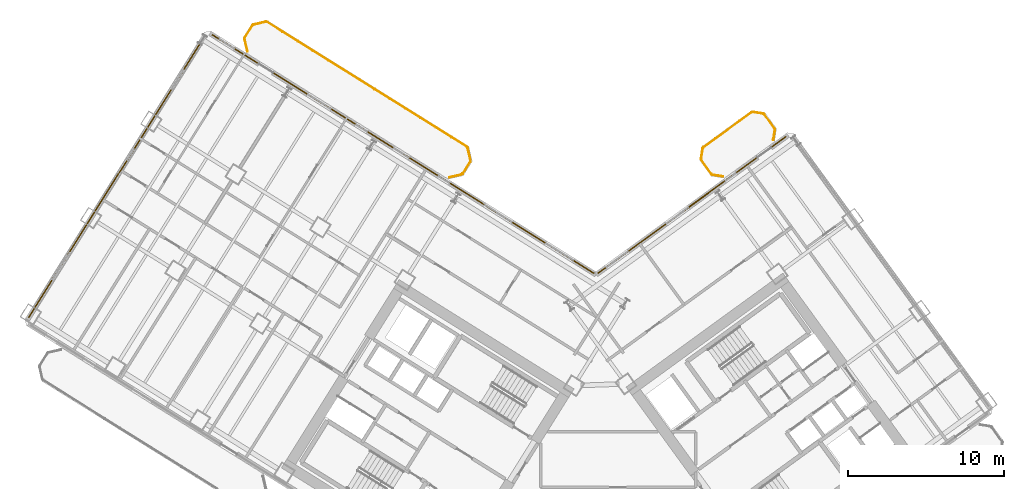
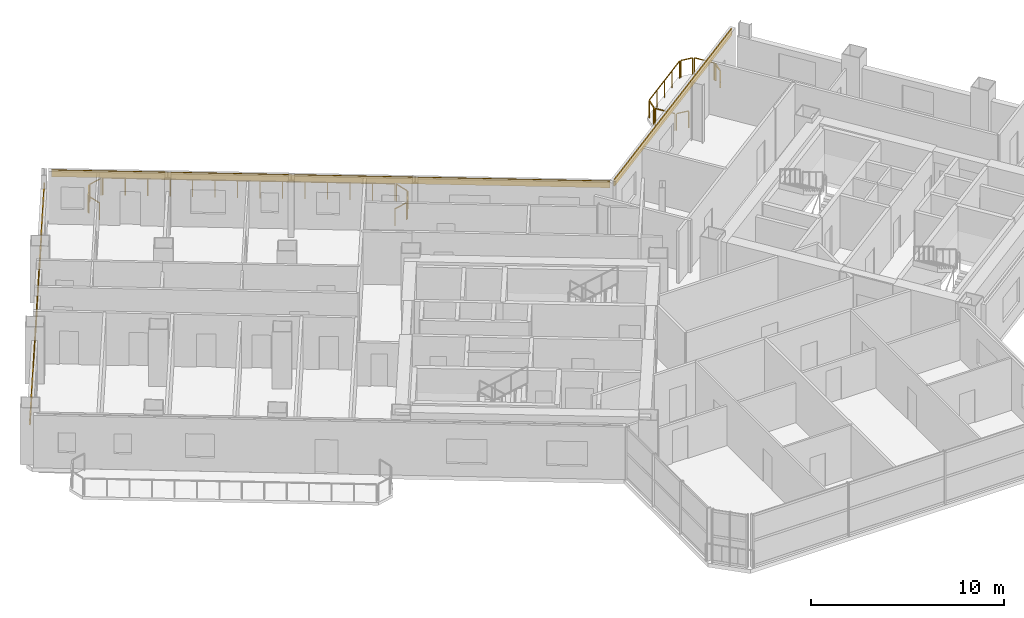
# One storey, part 21 of 21: 14 railings, 3 coverings.
"""IFC4 building model written with IfcOpenShell, lengths in metres."""

import ifcopenshell
import ifcopenshell.guid

model = None  # the IFC model being written
_history = None  # IfcOwnerHistory: only IFC2X3 demands one
_inside = {}  # id of a spatial element -> (the spatial element, [elements in it])
_under = {}  # id of a project, library or spatial element -> (it, [spatial elements below it])
_declared = {}  # id of a project -> (the project, [libraries it declares])
_typed = {}  # id of a type object -> (the type object, [elements of that type])
_made_of = {}  # id of a material, layer set ... -> (it, [elements and type objects made of it])


def new_model(schema):
    """Start an empty IFC model of exactly this schema.

    Asked for "IFC4X3", IfcOpenShell would pick the latest addendum, in which some entities
    have other attributes; the version numbers below select the first issue.
    IFC2X3 requires an IfcOwnerHistory on every rooted entity: one is made here for all.
    """
    global model, _history
    if schema == "IFC4X3":
        model = ifcopenshell.file(schema_version=(4, 3, 0, 0))
    else:
        model = ifcopenshell.file(schema=schema)
    _inside.clear()
    _under.clear()
    _declared.clear()
    _typed.clear()
    _made_of.clear()
    _history = None
    if model.schema == "IFC2X3":
        org = make("IfcOrganization", Name="unknown")
        user = make(
            "IfcPersonAndOrganization",
            ThePerson=make("IfcPerson", FamilyName="unknown"),
            TheOrganization=org,
        )
        app = make(
            "IfcApplication",
            ApplicationDeveloper=org,
            Version="unknown",
            ApplicationFullName="unknown",
            ApplicationIdentifier="unknown",
        )
        _history = make(
            "IfcOwnerHistory",
            OwningUser=user,
            OwningApplication=app,
            ChangeAction="ADDED",
            CreationDate=0,
        )
    return model


def make(cls, **values):
    """One entity of the class cls with the attributes given. An attribute that is None is left unset."""
    return model.create_entity(
        cls, **{name: value for name, value in values.items() if value is not None}
    )


def rooted(cls, **values):
    """An entity with a GlobalId (a new one), such as an element, a storey or a relation."""
    return make(cls, GlobalId=ifcopenshell.guid.new(), OwnerHistory=_history, **values)


def si_unit(unit_type, name, prefix=None):
    """IfcSIUnit, for example si_unit("LENGTHUNIT", "METRE", prefix="MILLI")."""
    return make("IfcSIUnit", UnitType=unit_type, Prefix=prefix, Name=name)


def assignment(units):
    """IfcUnitAssignment: the units of a project."""
    return None if units is None else make("IfcUnitAssignment", Units=units)


def point(xyz):
    """IfcCartesianPoint."""
    return None if xyz is None else make("IfcCartesianPoint", Coordinates=xyz)


def direction(xyz):
    """IfcDirection."""
    return None if xyz is None else make("IfcDirection", DirectionRatios=xyz)


def frame(location, z_axis=None, x_axis=None):
    """IfcAxis2Placement3D, a coordinate frame: its origin and axes. An axis left out is left unset."""
    return make(
        "IfcAxis2Placement3D",
        Location=point(location),
        Axis=direction(z_axis),
        RefDirection=direction(x_axis),
    )


def frame_2d(location, x_axis=None):
    """IfcAxis2Placement2D, a coordinate frame in the plane: its origin and x axis."""
    return make(
        "IfcAxis2Placement2D", Location=point(location), RefDirection=direction(x_axis)
    )


def origin():
    """The frame at (0, 0, 0) with its axes left unset."""
    return frame((0.0, 0.0, 0.0))


def origin_2d():
    """The frame at (0, 0) in the plane with its x axis left unset."""
    return frame_2d((0.0, 0.0))


def place(relative_to, where):
    """IfcLocalPlacement: puts the frame where relative to a parent placement (None: the world)."""
    return make(
        "IfcLocalPlacement", PlacementRelTo=relative_to, RelativePlacement=where
    )


def context(
    kind, dimensions, precision=None, world=None, true_north=None, identifier=None
):
    """IfcGeometricRepresentationContext, for example the 3D "Model" context."""
    return make(
        "IfcGeometricRepresentationContext",
        ContextIdentifier=identifier,
        ContextType=kind,
        CoordinateSpaceDimension=dimensions,
        Precision=precision,
        WorldCoordinateSystem=world,
        TrueNorth=true_north,
    )


def subcontext(parent, identifier, kind, view, scale=None):
    """IfcGeometricRepresentationSubContext, for example "Body" below "Model"."""
    return make(
        "IfcGeometricRepresentationSubContext",
        ContextIdentifier=identifier,
        ContextType=kind,
        ParentContext=parent,
        TargetScale=scale,
        TargetView=view,
    )


def project(units=None, contexts=None):
    """IfcProject with its units and contexts."""
    return rooted(
        "IfcProject",
        Name="project",
        RepresentationContexts=contexts,
        UnitsInContext=assignment(units),
    )


def spatial(cls, under=None, at=None, **own):
    """A site, building, storey or space (cls), placed at a placement, below another one or the project."""
    s = rooted(cls, ObjectPlacement=at, **own)
    if under is not None:
        _under.setdefault(under.id(), (under, []))[1].append(s)
    return s


def profile(cls, at=None, kind="AREA", **sizes):
    """A parametric profile (cls). Its sizes go by their IFC names, for example OverallWidth=200.0."""
    return make(cls, ProfileType=kind, Position=at, **sizes)


def rectangle(**sizes):
    """IfcRectangleProfileDef."""
    return profile("IfcRectangleProfileDef", **sizes)


def extrude(swept, where, along, depth):
    """IfcExtrudedAreaSolid: the profile swept, set in the frame where, extruded along a direction by depth."""
    return make(
        "IfcExtrudedAreaSolid",
        SweptArea=swept,
        Position=where,
        ExtrudedDirection=direction(along),
        Depth=depth,
    )


def shape(context_of_items, identifier, shape_type, items):
    """IfcShapeRepresentation: the items that make up one representation, for example the "Body"."""
    return make(
        "IfcShapeRepresentation",
        ContextOfItems=context_of_items,
        RepresentationIdentifier=identifier,
        RepresentationType=shape_type,
        Items=items,
    )


def source(mapping_origin, context_of_items, identifier, shape_type, items):
    """IfcRepresentationMap: a shape defined once, which mapped items show again and again."""
    return make(
        "IfcRepresentationMap",
        MappingOrigin=mapping_origin,
        MappedRepresentation=shape(context_of_items, identifier, shape_type, items),
    )


def transform(
    local_origin,
    x_axis=None,
    y_axis=None,
    z_axis=None,
    scale=None,
    scale2=None,
    scale3=None,
    uniform=True,
):
    """IfcCartesianTransformationOperator3D, or its non-uniform kind. x_axis, y_axis, z_axis: its Axis1, 2, 3."""
    if uniform:
        return make(
            "IfcCartesianTransformationOperator3D",
            Axis1=direction(x_axis),
            Axis2=direction(y_axis),
            LocalOrigin=point(local_origin),
            Scale=scale,
            Axis3=direction(z_axis),
        )
    return make(
        "IfcCartesianTransformationOperator3DnonUniform",
        Axis1=direction(x_axis),
        Axis2=direction(y_axis),
        LocalOrigin=point(local_origin),
        Scale=scale,
        Axis3=direction(z_axis),
        Scale2=scale2,
        Scale3=scale3,
    )


def mapped(mapping_source, mapping_target):
    """IfcMappedItem: shows the shape of a source again, moved by a transform."""
    return make(
        "IfcMappedItem", MappingSource=mapping_source, MappingTarget=mapping_target
    )


def material(Name=None, Category=None):
    """IfcMaterial."""
    return make("IfcMaterial", Name=Name, Category=Category)


def layer(
    of_material, thickness, ventilated=None, Name=None, Category=None, Priority=None
):
    """IfcMaterialLayer: one layer of a wall or slab, of a material (None: an air gap)."""
    return make(
        "IfcMaterialLayer",
        Material=of_material,
        LayerThickness=thickness,
        IsVentilated=ventilated,
        Name=Name,
        Category=Category,
        Priority=Priority,
    )


def layer_set(layers, Name=None):
    """IfcMaterialLayerSet."""
    return make("IfcMaterialLayerSet", MaterialLayers=layers, LayerSetName=Name)


def made_of(thing, what):
    """Note that an element or type object is made of a material, layer set ...; save() writes the relation."""
    if what is not None:
        _made_of.setdefault(what.id(), (what, []))[1].append(thing)
    return thing


def type_object(cls, material=None, **own):
    """A type object (cls), such as IfcWallType, which elements share."""
    return made_of(rooted(cls, **own), material)


def element(
    cls,
    number,
    at=None,
    inside=None,
    cuts=None,
    type_object=None,
    material=None,
    context=None,
    identifier="Body",
    shape_type=None,
    held_by="IfcProductDefinitionShape",
    body=None,
    shapes=None,
    **own,
):
    """One element of the class cls, such as IfcWall. Its Tag is "e" and its number.

    at: its placement. inside: the storey or other place that contains it. cuts: it is an
    opening in that element (IfcRelVoidsElement). A single representation is given by context,
    identifier, shape_type and body (its items); several are given by shapes. held_by: the class
    of the entity that holds the representations. save() writes the other relations.
    """
    e = rooted(cls, Tag="e%d" % number, ObjectPlacement=at, **own)
    if body is not None:
        shapes = [shape(context, identifier, shape_type, body)]
    if shapes is not None:
        e.Representation = make(held_by, Representations=shapes)
    if inside is not None:
        _inside.setdefault(inside.id(), (inside, []))[1].append(e)
    if cuts is not None:
        rooted(
            "IfcRelVoidsElement", RelatingBuildingElement=cuts, RelatedOpeningElement=e
        )
    if type_object is not None:
        _typed.setdefault(type_object.id(), (type_object, []))[1].append(e)
    return made_of(e, material)


def aggregate(whole, parts):
    """IfcRelAggregates: a whole, such as a stair, and the parts it consists of."""
    return rooted("IfcRelAggregates", RelatingObject=whole, RelatedObjects=parts)


def save(model, path):
    """Write the relations noted so far, then the file.

    IfcRelAggregates (storeys below a building ...), IfcRelContainedInSpatialStructure (elements
    in a storey), IfcRelDefinesByType, IfcRelAssociatesMaterial and IfcRelDeclares: one each for
    every whole, place, type object, material and project.
    """
    for whole, parts in _under.values():
        aggregate(whole, parts)
    for where, things in _inside.values():
        rooted(
            "IfcRelContainedInSpatialStructure",
            RelatedElements=things,
            RelatingStructure=where,
        )
    for kind, things in _typed.values():
        rooted("IfcRelDefinesByType", RelatedObjects=things, RelatingType=kind)
    for what, things in _made_of.values():
        rooted("IfcRelAssociatesMaterial", RelatedObjects=things, RelatingMaterial=what)
    for by, libraries in _declared.values():
        rooted("IfcRelDeclares", RelatingContext=by, RelatedDefinitions=libraries)
    model.write(path)


model = new_model("IFC4")

# Units and contexts
model_context = context("Model", 3, precision=1e-05, world=origin(), true_north=direction((0.0, 1.0)))
body_context = subcontext(model_context, "Body", "Model", "MODEL_VIEW")
ifc_project = project(units=[si_unit("LENGTHUNIT", "METRE"), si_unit("AREAUNIT", "SQUARE_METRE"), si_unit("VOLUMEUNIT", "CUBIC_METRE"), si_unit("PLANEANGLEUNIT", "RADIAN"), si_unit("MASSUNIT", "GRAM", prefix="KILO")], contexts=[model_context])

# Site, building, storey
site_placement = place(None, origin())
site = spatial("IfcSite", under=ifc_project, at=site_placement, CompositionType="ELEMENT")
building_placement = place(site_placement, origin())
building = spatial("IfcBuilding", under=site, at=building_placement, Name="Tlacorven Tower", CompositionType="ELEMENT")
storey_placement = place(building_placement, frame((0.0, 0.0, 81.0)))
storey = spatial("IfcBuildingStorey", under=building, at=storey_placement, Name="L20", CompositionType="ELEMENT", Elevation=81.0)

# Railings
ifc_material_1 = material(Name="Aluminium and painted steel balustrade", Category="steel")
railing_type = type_object("IfcRailingType", Name="RL-BAL-1100", PredefinedType="BALUSTRADE", material=ifc_material_1)
shared_shape_1 = source(origin(), body_context, "Body", "SweptSolid", [
    extrude(rectangle(XDim=0.048095703125, YDim=0.048095703125, at=origin_2d()), frame((0.0, 0.0, 1.076171875), z_axis=(0.974345290916, 0.225058334816, 0.0), x_axis=(-0.225058334816, 0.974345290916, 0.0)), (0.0, 0.0, 1.0), 0.80712890625),
    extrude(rectangle(XDim=0.0419921875, YDim=0.0419921875, at=origin_2d()), origin(), (0.0, 0.0, 1.0), 1.052001953125),
    extrude(rectangle(XDim=0.0419921875, YDim=0.0419921875, at=origin_2d()), frame((0.786376953125, 0.181640625, 0.0)), (0.0, 0.0, 1.0), 1.052001953125),
])
railing_1_placement = place(storey_placement, frame((20.2138671875, 47.643798828125, 0.0)))
element("IfcRailing", 1, at=railing_1_placement, inside=storey, type_object=railing_type, Name="BAL-L20-W-IN Guard Railing 6", PredefinedType="BALUSTRADE", context=body_context, shape_type="MappedRepresentation", body=[
    mapped(shared_shape_1, transform((0.0, 0.0, 0.0), scale=1.0)),
])
shared_shape_2 = source(origin(), body_context, "Body", "SweptSolid", [
    extrude(rectangle(XDim=0.048095703125, YDim=0.048095703125, at=origin_2d()), frame((0.0, 0.0, 1.076171875), z_axis=(-0.987661653326, 0.156602868908, 0.0), x_axis=(-0.156602868908, -0.987661653326, 0.0)), (0.0, 0.0, 1.0), 0.665771484375),
    extrude(rectangle(XDim=0.0419921875, YDim=0.0419921875, at=origin_2d()), origin(), (0.0, 0.0, 1.0), 1.052001953125),
    extrude(rectangle(XDim=0.0419921875, YDim=0.0419921875, at=origin_2d()), frame((-0.657470703125, 0.104248046875, 0.0)), (0.0, 0.0, 1.0), 1.052001953125),
])
railing_2_placement = place(storey_placement, frame((50.359130859375, 37.891845703125, 0.0)))
element("IfcRailing", 2, at=railing_2_placement, inside=storey, type_object=railing_type, Name="BAL-L20-E-IN Guard Railing 1", PredefinedType="BALUSTRADE", context=body_context, shape_type="MappedRepresentation", body=[
    mapped(shared_shape_2, transform((0.0, 0.0, 0.0), scale=1.0)),
])
shared_shape_3 = source(origin(), body_context, "Body", "SweptSolid", [
    extrude(rectangle(XDim=0.048095703125, YDim=0.048095703125, at=origin_2d()), frame((0.0, 0.0, 1.076171875), z_axis=(0.156602868908, 0.987661653326, 0.0), x_axis=(-0.987661653326, 0.156602868908, 0.0)), (0.0, 0.0, 1.0), 0.665771484375),
    extrude(rectangle(XDim=0.0419921875, YDim=0.0419921875, at=origin_2d()), origin(), (0.0, 0.0, 1.0), 1.052001953125),
    extrude(rectangle(XDim=0.0419921875, YDim=0.0419921875, at=origin_2d()), frame((0.104248046875, 0.657470703125, 0.0)), (0.0, 0.0, 1.0), 1.052001953125),
])
railing_3_placement = place(storey_placement, frame((48.947509765625, 39.033935546875, 0.0)))
element("IfcRailing", 3, at=railing_3_placement, inside=storey, type_object=railing_type, Name="BAL-L20-E-IN Guard Railing 3", PredefinedType="BALUSTRADE", context=body_context, shape_type="MappedRepresentation", body=[
    mapped(shared_shape_3, transform((0.0, 0.0, 0.0), scale=1.0)),
])
shared_shape_4 = source(origin(), body_context, "Body", "SweptSolid", [
    extrude(rectangle(XDim=0.048095703125, YDim=0.048095703125, at=origin_2d()), frame((0.0, 0.0, 1.076171875), z_axis=(-0.156245081039, -0.987718317463, 0.0), x_axis=(0.987718317463, -0.156245081039, 0.0)), (0.0, 0.0, 1.0), 0.66552734375),
    extrude(rectangle(XDim=0.0419921875, YDim=0.0419921875, at=origin_2d()), origin(), (0.0, 0.0, 1.0), 1.052001953125),
    extrude(rectangle(XDim=0.0419921875, YDim=0.0419921875, at=origin_2d()), frame((-0.10400390625, -0.657470703125, 0.0)), (0.0, 0.0, 1.0), 1.052001953125),
])
railing_4_placement = place(storey_placement, frame((53.689453125, 40.893310546875, 0.0)))
element("IfcRailing", 4, at=railing_4_placement, inside=storey, type_object=railing_type, Name="BAL-L20-E-IN Guard Railing 7", PredefinedType="BALUSTRADE", context=body_context, shape_type="MappedRepresentation", body=[
    mapped(shared_shape_4, transform((0.0, 0.0, 0.0), scale=1.0)),
])

# Covering
ifc_material_2 = material(Name="Precast concrete C45/55", Category="concrete")
ifc_layer = layer(ifc_material_2, 0.06005859375)
ifc_layer_set = layer_set([ifc_layer], Name="Precast concrete C45/55")
covering_type = type_object("IfcCoveringType", Name="CV-CLD-TERC", PredefinedType="CLADDING", material=ifc_layer_set)
shared_shape_5 = source(origin(), body_context, "Body", "SweptSolid", [
    extrude(rectangle(XDim=21.287353515625, YDim=0.06005859375, at=origin_2d()), origin(), (0.0, 0.0, 1.0), 0.419921875),
])
covering_1_placement = place(storey_placement, frame((11.419677734375, 37.864013671875, 2.324951171875), z_axis=(0.0, 0.0, 1.0), x_axis=(0.529919147866, 0.848048168871, 0.0)))
element("IfcCovering", 5, at=covering_1_placement, inside=storey, type_object=covering_type, Name="L20 Masonry-Frame Spandrel Cladding 2", PredefinedType="CLADDING", context=body_context, shape_type="MappedRepresentation", body=[
    mapped(shared_shape_5, transform((0.0, 0.0, 0.0), scale=1.0)),
])

# Railings
shared_shape_6 = source(origin(), body_context, "Body", "SweptSolid", [
    extrude(rectangle(XDim=0.048095703125, YDim=0.048095703125, at=origin_2d()), frame((0.0, 0.0, 1.076171875), z_axis=(0.529998940003, 0.847998304005, 0.0), x_axis=(-0.847998304005, 0.529998940003, 0.0)), (0.0, 0.0, 1.0), 0.912109375),
    extrude(rectangle(XDim=0.0419921875, YDim=0.0419921875, at=origin_2d()), origin(), (0.0, 0.0, 1.0), 1.052001953125),
    extrude(rectangle(XDim=0.0419921875, YDim=0.0419921875, at=origin_2d()), frame((0.4833984375, 0.7734375, 0.0)), (0.0, 0.0, 1.0), 1.052001953125),
])
railing_5_placement = place(storey_placement, frame((19.6552734375, 46.816650390625, 0.0)))
element("IfcRailing", 6, at=railing_5_placement, inside=storey, type_object=railing_type, Name="BAL-L20-W-IN Guard Railing 5", PredefinedType="BALUSTRADE", context=body_context, shape_type="MappedRepresentation", body=[
    mapped(shared_shape_6, transform((0.0, 0.0, 0.0), scale=1.0)),
])
shared_shape_7 = source(origin(), body_context, "Body", "SweptSolid", [
    extrude(rectangle(XDim=0.048095703125, YDim=0.048095703125, at=origin_2d()), frame((0.0, 0.0, 1.076171875), z_axis=(0.224992020761, -0.974360606036, 0.0), x_axis=(0.974360606036, 0.224992020761, 0.0)), (0.0, 0.0, 1.0), 0.807373046875),
    extrude(rectangle(XDim=0.0419921875, YDim=0.0419921875, at=origin_2d()), origin(), (0.0, 0.0, 1.0), 1.052001953125),
    extrude(rectangle(XDim=0.0419921875, YDim=0.0419921875, at=origin_2d()), frame((0.181640625, -0.78662109375, 0.0)), (0.0, 0.0, 1.0), 1.052001953125),
])
railing_6_placement = place(storey_placement, frame((33.965087890625, 39.72412109375, 0.0)))
element("IfcRailing", 7, at=railing_6_placement, inside=storey, type_object=railing_type, Name="BAL-L20-W-IN Guard Railing 1", PredefinedType="BALUSTRADE", context=body_context, shape_type="MappedRepresentation", body=[
    mapped(shared_shape_7, transform((0.0, 0.0, 0.0), scale=1.0)),
])
shared_shape_8 = source(origin(), body_context, "Body", "SweptSolid", [
    extrude(rectangle(XDim=0.048095703125, YDim=0.048095703125, at=origin_2d()), frame((0.0, 0.0, 1.076171875), z_axis=(-0.529998940003, -0.847998304005, 0.0), x_axis=(0.847998304005, -0.529998940003, 0.0)), (0.0, 0.0, 1.0), 0.912109375),
    extrude(rectangle(XDim=0.0419921875, YDim=0.0419921875, at=origin_2d()), origin(), (0.0, 0.0, 1.0), 1.052001953125),
    extrude(rectangle(XDim=0.0419921875, YDim=0.0419921875, at=origin_2d()), frame((-0.4833984375, -0.7734375, 0.0)), (0.0, 0.0, 1.0), 1.052001953125),
])
railing_7_placement = place(storey_placement, frame((34.131591796875, 38.846435546875, 0.0)))
element("IfcRailing", 8, at=railing_7_placement, inside=storey, type_object=railing_type, Name="BAL-L20-W-IN Guard Railing 2", PredefinedType="BALUSTRADE", context=body_context, shape_type="MappedRepresentation", body=[
    mapped(shared_shape_8, transform((0.0, 0.0, 0.0), scale=1.0)),
])
shared_shape_9 = source(origin(), body_context, "Body", "SweptSolid", [
    extrude(rectangle(XDim=0.048095703125, YDim=0.048095703125, at=origin_2d()), frame((0.0, 0.0, 1.076171875), z_axis=(-0.974360606036, -0.224992020761, 0.0), x_axis=(0.224992020761, -0.974360606036, 0.0)), (0.0, 0.0, 1.0), 0.807373046875),
    extrude(rectangle(XDim=0.0419921875, YDim=0.0419921875, at=origin_2d()), origin(), (0.0, 0.0, 1.0), 1.052001953125),
    extrude(rectangle(XDim=0.0419921875, YDim=0.0419921875, at=origin_2d()), frame((-0.78662109375, -0.181640625, 0.0)), (0.0, 0.0, 1.0), 1.052001953125),
])
railing_8_placement = place(storey_placement, frame((33.572998046875, 38.019287109375, 0.0)))
element("IfcRailing", 9, at=railing_8_placement, inside=storey, type_object=railing_type, Name="BAL-L20-W-IN Guard Railing 3", PredefinedType="BALUSTRADE", context=body_context, shape_type="MappedRepresentation", body=[
    mapped(shared_shape_9, transform((0.0, 0.0, 0.0), scale=1.0)),
])
shared_shape_10 = source(origin(), body_context, "Body", "SweptSolid", [
    extrude(rectangle(XDim=0.048095703125, YDim=0.048095703125, at=origin_2d()), frame((0.0, 0.0, 1.076171875), z_axis=(-0.22470489119, 0.974426863277, 0.0), x_axis=(-0.974426863277, -0.22470489119, 0.0)), (0.0, 0.0, 1.0), 0.807373046875),
    extrude(rectangle(XDim=0.0419921875, YDim=0.0419921875, at=origin_2d()), origin(), (0.0, 0.0, 1.0), 1.052001953125),
    extrude(rectangle(XDim=0.0419921875, YDim=0.0419921875, at=origin_2d()), frame((-0.181396484375, 0.78662109375, 0.0)), (0.0, 0.0, 1.0), 1.052001953125),
])
railing_9_placement = place(storey_placement, frame((19.821533203125, 45.93896484375, 0.0)))
element("IfcRailing", 10, at=railing_9_placement, inside=storey, type_object=railing_type, Name="BAL-L20-W-IN Guard Railing 4", PredefinedType="BALUSTRADE", context=body_context, shape_type="MappedRepresentation", body=[
    mapped(shared_shape_10, transform((0.0, 0.0, 0.0), scale=1.0)),
])
shared_shape_11 = source(origin(), body_context, "Body", "SweptSolid", [
    extrude(rectangle(XDim=0.048095703125, YDim=0.048095703125, at=origin_2d()), frame((0.0, 0.0, 1.076171875), z_axis=(0.848051830527, -0.529913287944, 0.0), x_axis=(0.529913287944, 0.848051830527, 0.0)), (0.0, 0.0, 1.0), 15.1171875),
    extrude(rectangle(XDim=0.0419921875, YDim=0.0419921875, at=origin_2d()), origin(), (0.0, 0.0, 1.0), 1.052001953125),
    extrude(rectangle(XDim=0.0419921875, YDim=0.0419921875, at=origin_2d()), frame((0.986083984375, -0.6162109375, 0.0)), (0.0, 0.0, 1.0), 1.052001953125),
    extrude(rectangle(XDim=0.0419921875, YDim=0.0419921875, at=origin_2d()), frame((1.972412109375, -1.232421875, 0.0)), (0.0, 0.0, 1.0), 1.052001953125),
    extrude(rectangle(XDim=0.0419921875, YDim=0.0419921875, at=origin_2d()), frame((2.95849609375, -1.8486328125, 0.0)), (0.0, 0.0, 1.0), 1.052001953125),
    extrude(rectangle(XDim=0.0419921875, YDim=0.0419921875, at=origin_2d()), frame((3.944580078125, -2.46484375, 0.0)), (0.0, 0.0, 1.0), 1.052001953125),
    extrude(rectangle(XDim=0.0419921875, YDim=0.0419921875, at=origin_2d()), frame((4.930908203125, -3.0810546875, 0.0)), (0.0, 0.0, 1.0), 1.052001953125),
    extrude(rectangle(XDim=0.0419921875, YDim=0.0419921875, at=origin_2d()), frame((5.9169921875, -3.697265625, 0.0)), (0.0, 0.0, 1.0), 1.052001953125),
    extrude(rectangle(XDim=0.0419921875, YDim=0.0419921875, at=origin_2d()), frame((6.903076171875, -4.3134765625, 0.0)), (0.0, 0.0, 1.0), 1.052001953125),
    extrude(rectangle(XDim=0.0419921875, YDim=0.0419921875, at=origin_2d()), frame((7.88916015625, -4.9296875, 0.0)), (0.0, 0.0, 1.0), 1.052001953125),
    extrude(rectangle(XDim=0.0419921875, YDim=0.0419921875, at=origin_2d()), frame((8.87548828125, -5.5458984375, 0.0)), (0.0, 0.0, 1.0), 1.052001953125),
    extrude(rectangle(XDim=0.0419921875, YDim=0.0419921875, at=origin_2d()), frame((9.861572265625, -6.162109375, 0.0)), (0.0, 0.0, 1.0), 1.052001953125),
    extrude(rectangle(XDim=0.0419921875, YDim=0.0419921875, at=origin_2d()), frame((10.84765625, -6.7783203125, 0.0)), (0.0, 0.0, 1.0), 1.052001953125),
    extrude(rectangle(XDim=0.0419921875, YDim=0.0419921875, at=origin_2d()), frame((11.833984375, -7.39453125, 0.0)), (0.0, 0.0, 1.0), 1.052001953125),
    extrude(rectangle(XDim=0.0419921875, YDim=0.0419921875, at=origin_2d()), frame((12.820068359375, -8.0107421875, 0.0)), (0.0, 0.0, 1.0), 1.052001953125),
])
railing_10_placement = place(storey_placement, frame((21.091552734375, 47.81005859375, 0.0)))
element("IfcRailing", 11, at=railing_10_placement, inside=storey, type_object=railing_type, Name="BAL-L20-W-IN Guard Railing 7", PredefinedType="BALUSTRADE", context=body_context, shape_type="MappedRepresentation", body=[
    mapped(shared_shape_11, transform((0.0, 0.0, 0.0), scale=1.0)),
])
shared_shape_12 = source(origin(), body_context, "Body", "SweptSolid", [
    extrude(rectangle(XDim=0.048095703125, YDim=0.048095703125, at=origin_2d()), frame((0.0, 0.0, 1.076171875), z_axis=(-0.587636431696, 0.809125097957, 0.0), x_axis=(-0.809125097957, -0.587636431696, 0.0)), (0.0, 0.0, 1.0), 1.1123046875),
    extrude(rectangle(XDim=0.0419921875, YDim=0.0419921875, at=origin_2d()), origin(), (0.0, 0.0, 1.0), 1.052001953125),
    extrude(rectangle(XDim=0.0419921875, YDim=0.0419921875, at=origin_2d()), frame((-0.653564453125, 0.89990234375, 0.0)), (0.0, 0.0, 1.0), 1.052001953125),
])
railing_11_placement = place(storey_placement, frame((49.622802734375, 38.044189453125, 0.0)))
element("IfcRailing", 12, at=railing_11_placement, inside=storey, type_object=railing_type, Name="BAL-L20-E-IN Guard Railing 2", PredefinedType="BALUSTRADE", context=body_context, shape_type="MappedRepresentation", body=[
    mapped(shared_shape_12, transform((0.0, 0.0, 0.0), scale=1.0)),
])
shared_shape_13 = source(origin(), body_context, "Body", "SweptSolid", [
    extrude(rectangle(XDim=0.048095703125, YDim=0.048095703125, at=origin_2d()), frame((0.0, 0.0, 1.076171875), z_axis=(0.809018102573, 0.587783726986, 0.0), x_axis=(-0.587783726986, 0.809018102573, 0.0)), (0.0, 0.0, 1.0), 3.817138671875),
    extrude(rectangle(XDim=0.0419921875, YDim=0.0419921875, at=origin_2d()), origin(), (0.0, 0.0, 1.0), 1.052001953125),
    extrude(rectangle(XDim=0.0419921875, YDim=0.0419921875, at=origin_2d()), frame((0.77197265625, 0.56103515625, 0.0)), (0.0, 0.0, 1.0), 1.052001953125),
    extrude(rectangle(XDim=0.0419921875, YDim=0.0419921875, at=origin_2d()), frame((1.5439453125, 1.121826171875, 0.0)), (0.0, 0.0, 1.0), 1.052001953125),
    extrude(rectangle(XDim=0.0419921875, YDim=0.0419921875, at=origin_2d()), frame((2.316162109375, 1.6826171875, 0.0)), (0.0, 0.0, 1.0), 1.052001953125),
    extrude(rectangle(XDim=0.0419921875, YDim=0.0419921875, at=origin_2d()), frame((3.088134765625, 2.24365234375, 0.0)), (0.0, 0.0, 1.0), 1.052001953125),
])
railing_12_placement = place(storey_placement, frame((49.10009765625, 39.77001953125, 0.0)))
element("IfcRailing", 13, at=railing_12_placement, inside=storey, type_object=railing_type, Name="BAL-L20-E-IN Guard Railing 4", PredefinedType="BALUSTRADE", context=body_context, shape_type="MappedRepresentation", body=[
    mapped(shared_shape_13, transform((0.0, 0.0, 0.0), scale=1.0)),
])
shared_shape_14 = source(origin(), body_context, "Body", "SweptSolid", [
    extrude(rectangle(XDim=0.048095703125, YDim=0.048095703125, at=origin_2d()), frame((0.0, 0.0, 1.076171875), z_axis=(0.987661653326, -0.156602868908, 0.0), x_axis=(0.156602868908, 0.987661653326, 0.0)), (0.0, 0.0, 1.0), 0.665771484375),
    extrude(rectangle(XDim=0.0419921875, YDim=0.0419921875, at=origin_2d()), origin(), (0.0, 0.0, 1.0), 1.052001953125),
    extrude(rectangle(XDim=0.0419921875, YDim=0.0419921875, at=origin_2d()), frame((0.657470703125, -0.104248046875, 0.0)), (0.0, 0.0, 1.0), 1.052001953125),
])
railing_13_placement = place(storey_placement, frame((52.278076171875, 42.035400390625, 0.0)))
element("IfcRailing", 14, at=railing_13_placement, inside=storey, type_object=railing_type, Name="BAL-L20-E-IN Guard Railing 5", PredefinedType="BALUSTRADE", context=body_context, shape_type="MappedRepresentation", body=[
    mapped(shared_shape_14, transform((0.0, 0.0, 0.0), scale=1.0)),
])
shared_shape_15 = source(origin(), body_context, "Body", "SweptSolid", [
    extrude(rectangle(XDim=0.048095703125, YDim=0.048095703125, at=origin_2d()), frame((0.0, 0.0, 1.076171875), z_axis=(0.587780115446, -0.809020726488, 0.0), x_axis=(0.809020726488, 0.587780115446, 0.0)), (0.0, 0.0, 1.0), 1.1123046875),
    extrude(rectangle(XDim=0.0419921875, YDim=0.0419921875, at=origin_2d()), origin(), (0.0, 0.0, 1.0), 1.052001953125),
    extrude(rectangle(XDim=0.0419921875, YDim=0.0419921875, at=origin_2d()), frame((0.65380859375, -0.89990234375, 0.0)), (0.0, 0.0, 1.0), 1.052001953125),
])
railing_14_placement = place(storey_placement, frame((53.01416015625, 41.883056640625, 0.0)))
element("IfcRailing", 15, at=railing_14_placement, inside=storey, type_object=railing_type, Name="BAL-L20-E-IN Guard Railing 6", PredefinedType="BALUSTRADE", context=body_context, shape_type="MappedRepresentation", body=[
    mapped(shared_shape_15, transform((0.0, 0.0, 0.0), scale=1.0)),
])

# Coverings
shared_shape_16 = source(origin(), body_context, "Body", "SweptSolid", [
    extrude(rectangle(XDim=28.923095703125, YDim=0.06005859375, at=origin_2d()), origin(), (0.0, 0.0, 1.0), 0.419921875),
])
covering_2_placement = place(storey_placement, frame((29.815185546875, 39.34033203125, 2.900146484375), z_axis=(0.0, 0.0, 1.0), x_axis=(0.848048220257, -0.52991906563, 0.0)))
element("IfcCovering", 16, at=covering_2_placement, inside=storey, type_object=covering_type, Name="L20 Masonry-Frame Spandrel Cladding 3", PredefinedType="CLADDING", context=body_context, shape_type="MappedRepresentation", body=[
    mapped(shared_shape_16, transform((0.0, 0.0, 0.0), scale=1.0)),
])
shared_shape_17 = source(origin(), body_context, "Body", "SweptSolid", [
    extrude(rectangle(XDim=14.923095703125, YDim=0.06005859375, at=origin_2d()), origin(), (0.0, 0.0, 1.0), 0.419921875),
])
covering_3_placement = place(storey_placement, frame((48.3642578125, 36.0712890625, 2.900146484375), z_axis=(0.0, 0.0, 1.0), x_axis=(0.809016703631, 0.587785652468, 0.0)))
element("IfcCovering", 17, at=covering_3_placement, inside=storey, type_object=covering_type, Name="L20 Masonry-Frame Spandrel Cladding 4", PredefinedType="CLADDING", context=body_context, shape_type="MappedRepresentation", body=[
    mapped(shared_shape_17, transform((0.0, 0.0, 0.0), scale=1.0)),
])

save(model, "model.ifc")
